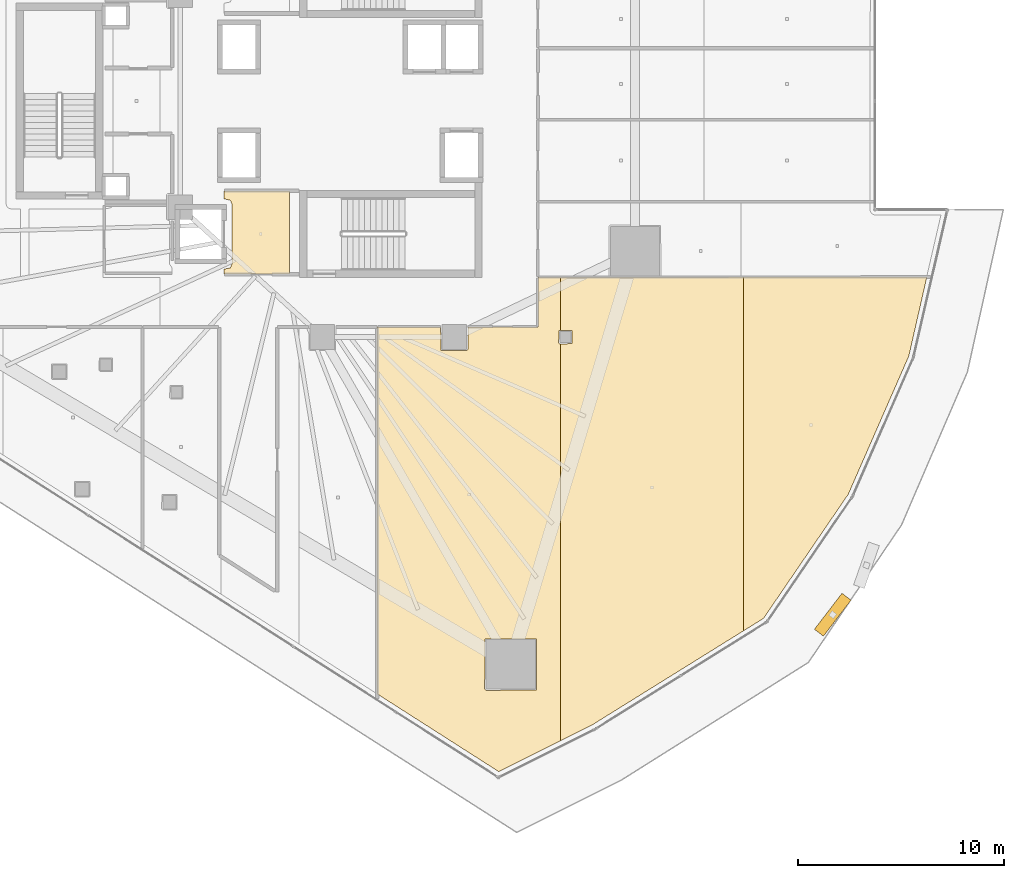
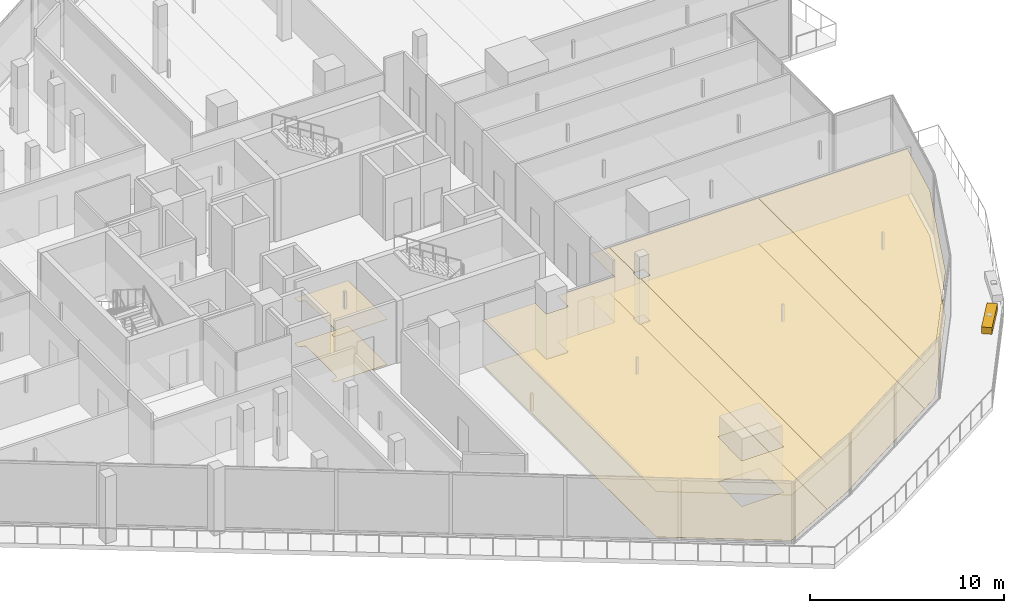
# One storey, part 38 of 44: 8 coverings, 1 shading device.
"""IFC4 building model written with IfcOpenShell, lengths in metres."""

from ifc_helpers import new_model, si_unit, direction, frame, origin, origin_2d, place, context, subcontext, project, spatial, polyline, rectangle, outline, extrude, material, layer, layer_set, type_object, element, save


model = new_model("IFC4")

# Units and contexts
model_context = context("Model", 3, precision=1e-05, world=origin(), true_north=direction((0.0, 1.0)))
body_context = subcontext(model_context, "Body", "Model", "MODEL_VIEW")
ifc_project = project(units=[si_unit("LENGTHUNIT", "METRE"), si_unit("AREAUNIT", "SQUARE_METRE"), si_unit("VOLUMEUNIT", "CUBIC_METRE"), si_unit("PLANEANGLEUNIT", "RADIAN"), si_unit("MASSUNIT", "GRAM", prefix="KILO")], contexts=[model_context])

# Site, building, storey
site_placement = place(None, origin())
site = spatial("IfcSite", under=ifc_project, at=site_placement, CompositionType="ELEMENT")
building_placement = place(site_placement, origin())
building = spatial("IfcBuilding", under=site, at=building_placement, Name="Qorvath Tower", CompositionType="ELEMENT")
storey_placement = place(building_placement, frame((0.0, 0.0, 57.60009765625)))
storey = spatial("IfcBuildingStorey", under=building, at=storey_placement, Name="L12", CompositionType="ELEMENT", Elevation=57.60009765625)

# Coverings
ifc_material_1 = material(Name="Acoustic mineral fibre ceiling tile", Category="gypsum")
ifc_layer_1 = layer(ifc_material_1, 0.030029296875)
ifc_layer_set_1 = layer_set([ifc_layer_1], Name="COV-CEIL")
covering_type_1 = type_object("IfcCoveringType", Name="COV-CEIL", PredefinedType="CEILING", material=ifc_layer_set_1)
covering_1_placement = place(storey_placement, frame((0.0, 0.0, 2.849853515625)))
element("IfcCovering", 1, at=covering_1_placement, inside=storey, type_object=covering_type_1, Name="L12 Suspended Acoustic Ceiling 002", PredefinedType="CEILING", context=body_context, shape_type="SweptSolid", body=[
    extrude(outline(polyline([(-25.18994140625, -8.39501953125), (-25.18994140625, -4.35498046875), (-28.375, -4.35498046875), (-28.375, -4.739990234375), (-28.063232421875, -4.813232421875), (-27.989990234375, -4.989990234375), (-27.989990234375, -7.909912109375), (-28.063232421875, -8.086669921875), (-28.375, -8.159912109375), (-28.375, -8.39501953125), (-25.18994140625, -8.39501953125)])), origin(), (0.0, 0.0, 1.0), 0.030029296875),
])
covering_2_placement = place(storey_placement, frame((0.0, 0.0, 2.849853515625)))
element("IfcCovering", 2, at=covering_2_placement, inside=storey, type_object=covering_type_1, Name="L12 Suspended Acoustic Ceiling 027", PredefinedType="CEILING", context=body_context, shape_type="SweptSolid", body=[
    extrude(outline(polyline([(-17.860107421875, -10.962890625), (-20.9228515625, -10.962890625), (-20.9228515625, -28.77490234375), (-15.042724609375, -32.533203125), (-12.03955078125, -31.03173828125), (-12.03955078125, -11.783935546875), (-12.074951171875, -11.784912109375), (-12.135009765625, -11.72509765625), (-12.117431640625, -11.132568359375), (-12.03955078125, -11.132568359375), (-12.03955078125, -8.55419921875), (-13.136962890625, -8.554931640625), (-13.138427734375, -10.96142578125), (-16.5400390625, -10.962890625), (-16.5400390625, -12.050048828125), (-16.60009765625, -12.110107421875), (-17.842529296875, -12.092529296875), (-17.860107421875, -10.962890625)]), holes=[polyline([(-15.724365234375, -28.53076171875), (-15.706787109375, -26.08837890625), (-13.221923828125, -26.08837890625), (-13.221923828125, -28.5732421875), (-15.664306640625, -28.5908203125), (-15.724365234375, -28.53076171875)])]), origin(), (0.0, 0.0, 1.0), 0.030029296875),
])
covering_3_placement = place(storey_placement, frame((0.0, 0.0, 2.849853515625)))
element("IfcCovering", 3, at=covering_3_placement, inside=storey, type_object=covering_type_1, Name="L12 Suspended Acoustic Ceiling 028", PredefinedType="CEILING", context=body_context, shape_type="SweptSolid", body=[
    extrude(outline(polyline([(-12.03955078125, -8.55419921875), (-12.03955078125, -11.132568359375), (-11.482666015625, -11.132568359375), (-11.482666015625, -11.767333984375), (-12.03955078125, -11.783935546875), (-12.03955078125, -31.03173828125), (-10.493408203125, -30.258544921875), (-3.156494140625, -25.696533203125), (-3.156494140625, -8.546875), (-12.03955078125, -8.55419921875)])), origin(), (0.0, 0.0, 1.0), 0.030029296875),
])
covering_4_placement = place(storey_placement, frame((0.0, 0.0, 2.849853515625)))
element("IfcCovering", 4, at=covering_4_placement, inside=storey, type_object=covering_type_1, Name="L12 Suspended Acoustic Ceiling 029", PredefinedType="CEILING", context=body_context, shape_type="SweptSolid", body=[
    extrude(outline(polyline([(-3.156494140625, -8.546875), (-3.156494140625, -25.696533203125), (-2.1953125, -25.098876953125), (1.91748046875, -19.076171875), (4.85400390625, -12.372314453125), (5.726806640625, -8.539794921875), (-3.156494140625, -8.546875)])), origin(), (0.0, 0.0, 1.0), 0.030029296875),
])
ifc_material_2 = material(Name="Low-VOC modular carpet tile", Category="textile")
ifc_layer_2 = layer(ifc_material_2, 0.014892578125)
ifc_layer_set_2 = layer_set([ifc_layer_2], Name="COV-FLOOR-CPT")
covering_type_2 = type_object("IfcCoveringType", Name="COV-FLOOR-CPT", PredefinedType="FLOORING", material=ifc_layer_set_2)
covering_5_placement = place(storey_placement, origin())
element("IfcCovering", 5, at=covering_5_placement, inside=storey, type_object=covering_type_2, Name="L12 Floor Finish 027", PredefinedType="FLOORING", context=body_context, shape_type="SweptSolid", body=[
    extrude(outline(polyline([(-17.860107421875, -10.962890625), (-20.9228515625, -10.962890625), (-20.9228515625, -28.77490234375), (-15.042724609375, -32.533203125), (-12.03955078125, -31.03173828125), (-12.03955078125, -11.783935546875), (-12.074951171875, -11.784912109375), (-12.135009765625, -11.72509765625), (-12.117431640625, -11.132568359375), (-12.03955078125, -11.132568359375), (-12.03955078125, -8.55419921875), (-13.136962890625, -8.554931640625), (-13.138427734375, -10.96142578125), (-16.5400390625, -10.962890625), (-16.5400390625, -12.050048828125), (-16.60009765625, -12.110107421875), (-17.842529296875, -12.092529296875), (-17.860107421875, -10.962890625)]), holes=[polyline([(-15.724365234375, -28.53076171875), (-15.706787109375, -26.08837890625), (-13.221923828125, -26.08837890625), (-13.221923828125, -28.5732421875), (-15.664306640625, -28.5908203125), (-15.724365234375, -28.53076171875)])]), origin(), (0.0, 0.0, 1.0), 0.014892578125),
])
covering_6_placement = place(storey_placement, origin())
element("IfcCovering", 6, at=covering_6_placement, inside=storey, type_object=covering_type_2, Name="L12 Floor Finish 028", PredefinedType="FLOORING", context=body_context, shape_type="SweptSolid", body=[
    extrude(outline(polyline([(-12.03955078125, -8.55419921875), (-12.03955078125, -11.132568359375), (-11.482666015625, -11.132568359375), (-11.482666015625, -11.767333984375), (-12.03955078125, -11.783935546875), (-12.03955078125, -31.03173828125), (-10.493408203125, -30.258544921875), (-3.156494140625, -25.696533203125), (-3.156494140625, -8.546875), (-12.03955078125, -8.55419921875)])), origin(), (0.0, 0.0, 1.0), 0.014892578125),
])
covering_7_placement = place(storey_placement, origin())
element("IfcCovering", 7, at=covering_7_placement, inside=storey, type_object=covering_type_2, Name="L12 Floor Finish 029", PredefinedType="FLOORING", context=body_context, shape_type="SweptSolid", body=[
    extrude(outline(polyline([(-3.156494140625, -8.546875), (-3.156494140625, -25.696533203125), (-2.1953125, -25.098876953125), (1.91748046875, -19.076171875), (4.85400390625, -12.372314453125), (5.726806640625, -8.539794921875), (-3.156494140625, -8.546875)])), origin(), (0.0, 0.0, 1.0), 0.014892578125),
])
ifc_material_3 = material(Name="Polished epoxy terrazzo flooring", Category="concrete")
ifc_layer_3 = layer(ifc_material_3, 0.02001953125)
ifc_layer_set_3 = layer_set([ifc_layer_3], Name="COV-FLOOR-TRZ")
covering_type_3 = type_object("IfcCoveringType", Name="COV-FLOOR-TRZ", PredefinedType="FLOORING", material=ifc_layer_set_3)
covering_8_placement = place(storey_placement, origin())
element("IfcCovering", 8, at=covering_8_placement, inside=storey, type_object=covering_type_3, Name="L12 Floor Finish 002", PredefinedType="FLOORING", context=body_context, shape_type="SweptSolid", body=[
    extrude(outline(polyline([(-25.18994140625, -8.39501953125), (-25.18994140625, -4.35498046875), (-28.375, -4.35498046875), (-28.375, -4.739990234375), (-28.063232421875, -4.813232421875), (-27.989990234375, -4.989990234375), (-27.989990234375, -7.909912109375), (-28.063232421875, -8.086669921875), (-28.375, -8.159912109375), (-28.375, -8.39501953125), (-25.18994140625, -8.39501953125)])), origin(), (0.0, 0.0, 1.0), 0.014892578125),
])

# Shading device
ifc_material_4 = material(Name="Anodised bronze-champagne aluminium", Category="aluminium")
shading_device_type = type_object("IfcShadingDeviceType", Name="SD-LOUVRE", PredefinedType="JALOUSIE", material=ifc_material_4)
shading_device_placement = place(storey_placement, frame((1.161376953125, -24.921142578125, 3.5), z_axis=(0.0, 0.0, 1.0), x_axis=(0.608534319376, 0.793527556006, 0.0)))
element("IfcShadingDevice", 9, at=shading_device_placement, inside=storey, type_object=shading_device_type, Name="Sinusoidal Wave Louvre Blade L12-03", PredefinedType="NOTDEFINED", context=body_context, shape_type="SweptSolid", body=[
    extrude(rectangle(XDim=2.199951171875, YDim=0.550048828125, at=origin_2d()), origin(), (0.0, 0.0, 1.0), 0.419921875),
])

save(model, "model.ifc")
